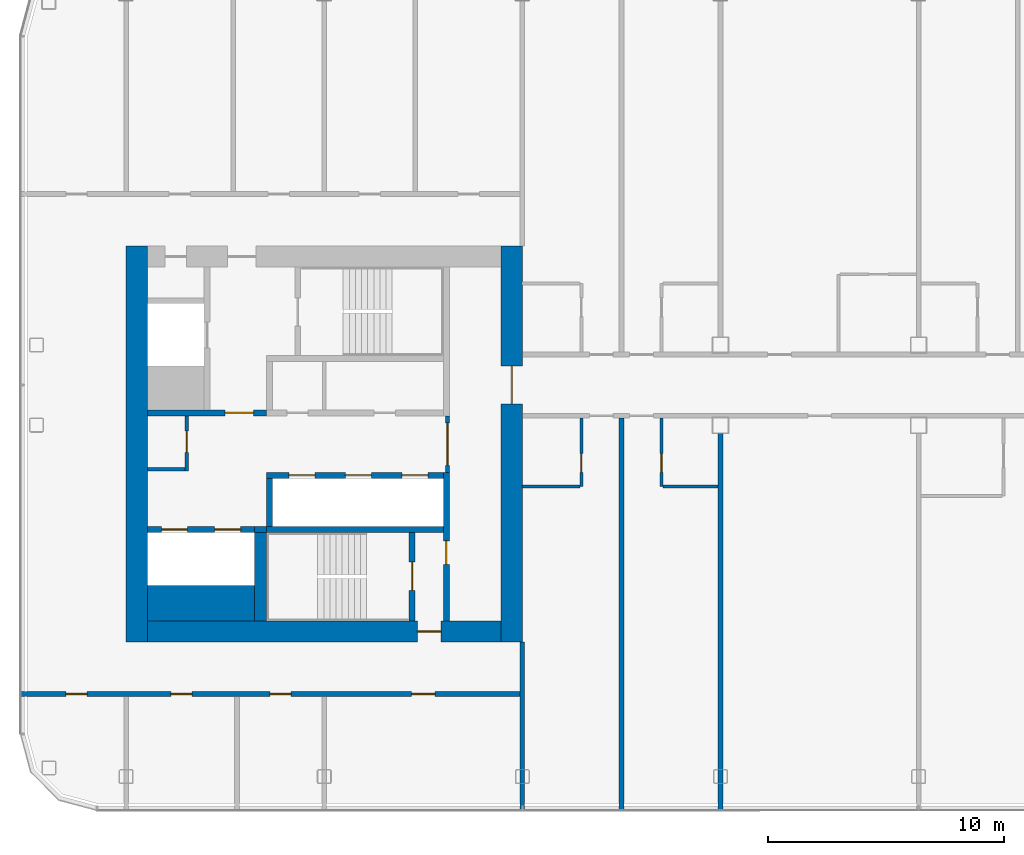
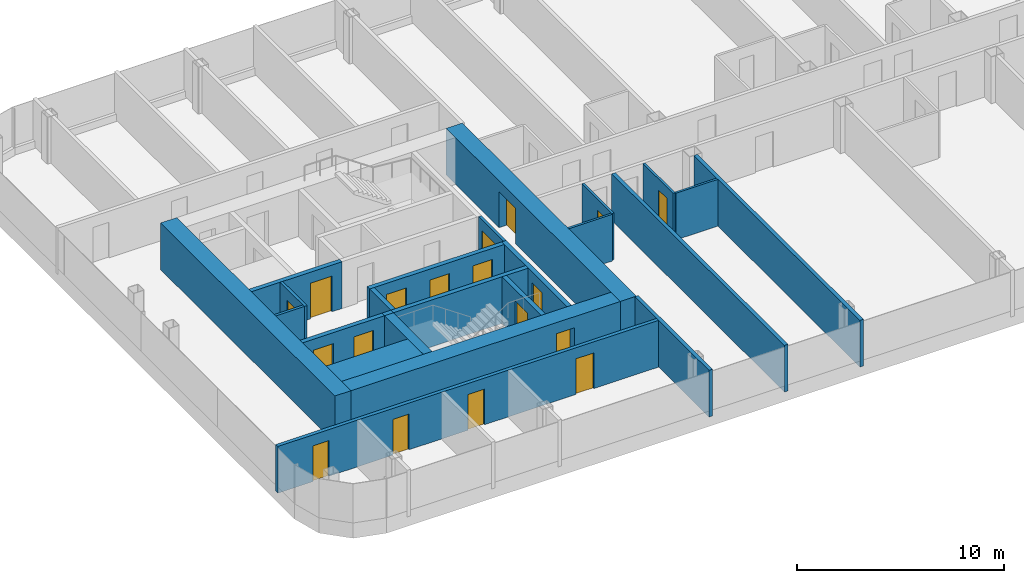
# One storey, part 13 of 26: 24 walls, 18 doors, 18 openings.
"""IFC4 building model written with IfcOpenShell, lengths in metres."""

from ifc_helpers import new_model, si_unit, direction, frame, frame_2d, origin, place, context, subcontext, project, spatial, rectangle, extrude, material, layer, layer_set, type_object, element, fill, save


model = new_model("IFC4")

# Units and contexts
model_context = context("Model", 3, precision=1e-05, world=origin(), true_north=direction((0.0, 1.0)))
body_context = subcontext(model_context, "Body", "Model", "MODEL_VIEW")
ifc_project = project(units=[si_unit("LENGTHUNIT", "METRE"), si_unit("AREAUNIT", "SQUARE_METRE"), si_unit("VOLUMEUNIT", "CUBIC_METRE"), si_unit("PLANEANGLEUNIT", "RADIAN"), si_unit("MASSUNIT", "GRAM", prefix="KILO")], contexts=[model_context])

# Site, building, storey
site_placement = place(None, origin())
site = spatial("IfcSite", under=ifc_project, at=site_placement, CompositionType="ELEMENT")
building_placement = place(site_placement, origin())
building = spatial("IfcBuilding", under=site, at=building_placement, Name="Hakoniwa Tower and Hamabe Station Hall", CompositionType="ELEMENT")
storey_placement = place(building_placement, frame((0.0, 0.0, 212.199951171875)))
storey = spatial("IfcBuildingStorey", under=building, at=storey_placement, Name="L60", CompositionType="ELEMENT", Elevation=212.199951171875)

# Walls
ifc_material_1 = material(Name="Gypsum board partition", Category="gypsum")
ifc_layer_1 = layer(ifc_material_1, 0.125)
ifc_layer_set_1 = layer_set([ifc_layer_1], Name="Bathroom Partition 125")
wall_type_1 = type_object("IfcWallType", Name="Bathroom Partition 125", PredefinedType="PARTITIONING", material=ifc_layer_set_1)
wall_1_placement = place(storey_placement, frame((-16.81005859375, -1.800048828125, 0.0), z_axis=(0.0, 0.0, 1.0), x_axis=(1.0, 0.0, 0.0)))
element("IfcWall", 1, at=wall_1_placement, inside=storey, type_object=wall_type_1, Name="GW-L60-005", PredefinedType="PARTITIONING", context=body_context, shape_type="SweptSolid", body=[
    extrude(rectangle(XDim=2.447509765625, YDim=0.125, at=frame_2d((1.2236328125, 0.0))), origin(), (0.0, 0.0, 1.0), 2.75),
])
wall_2_placement = place(storey_placement, frame((-10.83740234375, -1.800048828125, 0.0), z_axis=(0.0, 0.0, 1.0), x_axis=(1.0, 0.0, 0.0)))
element("IfcWall", 2, at=wall_2_placement, inside=storey, type_object=wall_type_1, Name="GW-L60-006", PredefinedType="PARTITIONING", context=body_context, shape_type="SweptSolid", body=[
    extrude(rectangle(XDim=2.33740234375, YDim=0.125, at=frame_2d((1.168701171875, 0.0))), origin(), (0.0, 0.0, 1.0), 2.75),
])

# Wall, opening, door
wall_3_placement = place(storey_placement, frame((-14.300048828125, -1.800048828125, 0.0), z_axis=(0.0, 0.0, 1.0), x_axis=(0.0, 1.0, 0.0)))
wall_3 = element("IfcWall", 3, at=wall_3_placement, inside=storey, type_object=wall_type_1, Name="GW-L60-027", PredefinedType="PARTITIONING", context=body_context, shape_type="SweptSolid", body=[
    extrude(rectangle(XDim=2.900146484375, YDim=0.125, at=frame_2d((1.4501953125, 0.0))), origin(), (0.0, 0.0, 1.0), 2.75),
])
opening_1_placement = place(wall_3_placement, frame((0.60009765625, 0.0, 0.0)))
opening_1 = element("IfcOpeningElement", 4, at=opening_1_placement, cuts=wall_3, Name="Opening GD-G4D1-32", PredefinedType="OPENING", context=body_context, shape_type="SweptSolid", body=[
    extrude(rectangle(XDim=0.800048828125, YDim=2.10009765625, at=frame_2d((0.39990234375, 1.050048828125))), frame((0.0, 0.072509765625, 0.0), z_axis=(0.0, -1.0, 0.0), x_axis=(1.0, 0.0, 0.0)), (0.0, 0.0, 1.0), 0.14501953125),
])
ifc_material_2 = material(Name="Timber door leaf", Category="wood")
door_type_1 = type_object("IfcDoorType", Name="Bathroom Door 800", OperationType="SINGLE_SWING_LEFT", PredefinedType="DOOR", material=ifc_material_2)
door_1_placement = place(opening_1_placement, origin())
door_1 = element("IfcDoor", 5, at=door_1_placement, inside=storey, type_object=door_type_1, Name="Door GD-G4D1-32", OperationType="SINGLE_SWING_RIGHT", OverallHeight=2.10009765625, OverallWidth=0.800048828125, PredefinedType="DOOR", context=body_context, shape_type="SweptSolid", body=[
    extrude(rectangle(XDim=0.800048828125, YDim=2.10009765625, at=frame_2d((0.39990234375, 1.050048828125))), frame((0.0, 0.02490234375, 0.0), z_axis=(0.0, -1.0, 0.0), x_axis=(1.0, 0.0, 0.0)), (0.0, 0.0, 1.0), 0.050048828125),
])
fill(opening_1, door_1)

wall_4_placement = place(storey_placement, frame((-10.89990234375, -1.800048828125, 0.0), z_axis=(0.0, 0.0, 1.0), x_axis=(0.0, 1.0, 0.0)))
wall_4 = element("IfcWall", 6, at=wall_4_placement, inside=storey, type_object=wall_type_1, Name="GW-L60-031", PredefinedType="PARTITIONING", context=body_context, shape_type="SweptSolid", body=[
    extrude(rectangle(XDim=2.900146484375, YDim=0.125, at=frame_2d((1.4501953125, 0.0))), origin(), (0.0, 0.0, 1.0), 2.75),
])
opening_2_placement = place(wall_4_placement, frame((0.60009765625, 0.0, 0.0)))
opening_2 = element("IfcOpeningElement", 7, at=opening_2_placement, cuts=wall_4, Name="Opening GD-G4D1-34", PredefinedType="OPENING", context=body_context, shape_type="SweptSolid", body=[
    extrude(rectangle(XDim=0.800048828125, YDim=2.10009765625, at=frame_2d((0.39990234375, 1.050048828125))), frame((0.0, 0.072509765625, 0.0), z_axis=(0.0, -1.0, 0.0), x_axis=(1.0, 0.0, 0.0)), (0.0, 0.0, 1.0), 0.14501953125),
])
door_2_placement = place(opening_2_placement, origin())
door_2 = element("IfcDoor", 8, at=door_2_placement, inside=storey, type_object=door_type_1, Name="Door GD-G4D1-34", OperationType="SINGLE_SWING_LEFT", OverallHeight=2.10009765625, OverallWidth=0.800048828125, PredefinedType="DOOR", context=body_context, shape_type="SweptSolid", body=[
    extrude(rectangle(XDim=0.800048828125, YDim=2.10009765625, at=frame_2d((0.39990234375, 1.050048828125))), frame((0.0, 0.02490234375, 0.0), z_axis=(0.0, -1.0, 0.0), x_axis=(1.0, 0.0, 0.0)), (0.0, 0.0, 1.0), 0.050048828125),
])
fill(opening_2, door_2)

ifc_material_3 = material(Name="Gypsum board partition")
ifc_layer_2 = layer(ifc_material_3, 0.14990234375)
ifc_layer_set_2 = layer_set([ifc_layer_2], Name="CORE PARTITION 150 EI 60")
wall_type_2 = type_object("IfcWallType", Name="CORE PARTITION 150 EI 60", PredefinedType="PARTITIONING", material=ifc_layer_set_2)
wall_5_placement = place(storey_placement, frame((-19.97509765625, -1.199951171875, 0.0), z_axis=(0.0, 0.0, 1.0), x_axis=(0.0, 1.0, 0.0)))
wall_5 = element("IfcWall", 9, at=wall_5_placement, inside=storey, type_object=wall_type_2, Name="Core partition PL0 west", PredefinedType="PARTITIONING", context=body_context, shape_type="SweptSolid", body=[
    extrude(rectangle(XDim=2.39990234375, YDim=0.14990234375, at=frame_2d((1.199951171875, 0.0))), origin(), (0.0, 0.0, 1.0), 2.75),
])
opening_3_placement = place(wall_5_placement, frame((0.300048828125, 0.0, 0.0)))
opening_3 = element("IfcOpeningElement", 10, at=opening_3_placement, cuts=wall_5, Name="Opening CD-W-LP0-18", PredefinedType="OPENING", context=body_context, shape_type="SweptSolid", body=[
    extrude(rectangle(XDim=1.800048828125, YDim=2.10009765625, at=frame_2d((0.89990234375, 1.050048828125))), frame((0.0, 0.0849609375, 0.0), z_axis=(0.0, -1.0, 0.0), x_axis=(1.0, 0.0, 0.0)), (0.0, 0.0, 1.0), 0.169921875),
])
ifc_material_4 = material(Name="Steel fire door", Category="steel")
door_type_2 = type_object("IfcDoorType", Name="CORE DOOR 1800 FD60", OperationType="DOUBLE_DOOR_SINGLE_SWING", PredefinedType="DOOR", material=ifc_material_4)
door_3_placement = place(opening_3_placement, origin())
door_3 = element("IfcDoor", 11, at=door_3_placement, inside=storey, type_object=door_type_2, Name="Lift lobby partition door", OperationType="DOUBLE_DOOR_SINGLE_SWING", OverallHeight=2.10009765625, OverallWidth=1.800048828125, PredefinedType="DOOR", context=body_context, shape_type="SweptSolid", body=[
    extrude(rectangle(XDim=1.800048828125, YDim=2.10009765625, at=frame_2d((0.89990234375, 1.050048828125))), frame((0.0, 0.02490234375, 0.0), z_axis=(0.0, -1.0, 0.0), x_axis=(1.0, 0.0, 0.0)), (0.0, 0.0, 1.0), 0.050048828125),
])
fill(opening_3, door_3)

wall_6_placement = place(storey_placement, frame((-31.02490234375, -1.14990234375, 0.0), z_axis=(0.0, 0.0, 1.0), x_axis=(0.0, 1.0, 0.0)))
wall_6 = element("IfcWall", 12, at=wall_6_placement, inside=storey, type_object=wall_type_2, Name="Core partition PW0 west", PredefinedType="PARTITIONING", context=body_context, shape_type="SweptSolid", body=[
    extrude(rectangle(XDim=2.349853515625, YDim=0.14990234375, at=frame_2d((1.1748046875, 0.0))), origin(), (0.0, 0.0, 1.0), 2.75),
])
opening_4_placement = place(wall_6_placement, frame((0.800048828125, 0.0, 0.0)))
opening_4 = element("IfcOpeningElement", 13, at=opening_4_placement, cuts=wall_6, Name="Opening CD-W-RM1-9", PredefinedType="OPENING", context=body_context, shape_type="SweptSolid", body=[
    extrude(rectangle(XDim=0.89990234375, YDim=2.10009765625, at=frame_2d((0.449951171875, 1.050048828125))), frame((0.0, 0.0849609375, 0.0), z_axis=(0.0, -1.0, 0.0), x_axis=(1.0, 0.0, 0.0)), (0.0, 0.0, 1.0), 0.169921875),
])
ifc_material_5 = material(Name="Steel fire door", Category="steel")
door_type_3 = type_object("IfcDoorType", Name="CORE DOOR 900 FD30", OperationType="NOTDEFINED", PredefinedType="DOOR", material=ifc_material_5)
door_4_placement = place(opening_4_placement, origin())
door_4 = element("IfcDoor", 14, at=door_4_placement, inside=storey, type_object=door_type_3, Name="Store room door", OperationType="SINGLE_SWING_RIGHT", OverallHeight=2.10009765625, OverallWidth=0.89990234375, PredefinedType="DOOR", context=body_context, shape_type="SweptSolid", body=[
    extrude(rectangle(XDim=0.89990234375, YDim=2.10009765625, at=frame_2d((0.449951171875, 1.050048828125))), frame((0.0, 0.02490234375, 0.0), z_axis=(0.0, -1.0, 0.0), x_axis=(1.0, 0.0, 0.0)), (0.0, 0.0, 1.0), 0.050048828125),
])
fill(opening_4, door_4)

# Wall
wall_7_placement = place(storey_placement, frame((-32.699951171875, -1.074951171875, 0.0), z_axis=(0.0, 0.0, 1.0), x_axis=(1.0, 0.0, 0.0)))
element("IfcWall", 15, at=wall_7_placement, inside=storey, type_object=wall_type_2, Name="Core partition PS west", PredefinedType="PARTITIONING", context=body_context, shape_type="SweptSolid", body=[
    extrude(rectangle(XDim=1.599853515625, YDim=0.14990234375, at=frame_2d((0.7998046875, 0.0))), origin(), (0.0, 0.0, 1.0), 2.75),
])

# Wall, opening, door
ifc_material_6 = material(Name="Concrete C60", Category="concrete")
ifc_layer_3 = layer(ifc_material_6, 0.89990234375)
ifc_layer_set_3 = layer_set([ifc_layer_3], Name="CORE WALL 900 C60")
wall_type_3 = type_object("IfcWallType", Name="CORE WALL 900 C60", PredefinedType="SHEAR", material=ifc_layer_set_3)
wall_8_placement = place(storey_placement, frame((-17.25, -8.39990234375, 0.0), z_axis=(0.0, 0.0, 1.0), x_axis=(0.0, 1.0, 0.0)))
wall_8 = element("IfcWall", 16, at=wall_8_placement, inside=storey, type_object=wall_type_3, Name="Core wall INNER west", PredefinedType="SHEAR", context=body_context, shape_type="SweptSolid", body=[
    extrude(rectangle(XDim=16.7998046875, YDim=0.89990234375, at=frame_2d((8.39990234375, 0.0))), origin(), (0.0, 0.0, 1.0), 2.75),
])
opening_5_placement = place(wall_8_placement, frame((10.10009765625, 0.0, 0.0)))
opening_5 = element("IfcOpeningElement", 17, at=opening_5_placement, cuts=wall_8, Name="Opening CD-W-IN1-16", PredefinedType="OPENING", context=body_context, shape_type="SweptSolid", body=[
    extrude(rectangle(XDim=1.60009765625, YDim=2.10009765625, at=frame_2d((0.800048828125, 1.050048828125))), frame((0.0, 0.4599609375, 0.0), z_axis=(0.0, -1.0, 0.0), x_axis=(1.0, 0.0, 0.0)), (0.0, 0.0, 1.0), 0.919921875),
])
ifc_material_7 = material(Name="Steel fire door", Category="steel")
door_type_4 = type_object("IfcDoorType", Name="CORE DOOR 1600 FD60", OperationType="DOUBLE_DOOR_SINGLE_SWING", PredefinedType="DOOR", material=ifc_material_7)
door_5_placement = place(opening_5_placement, origin())
door_5 = element("IfcDoor", 18, at=door_5_placement, inside=storey, type_object=door_type_4, Name="Lift lobby door", OperationType="DOUBLE_DOOR_SINGLE_SWING", OverallHeight=2.10009765625, OverallWidth=1.60009765625, PredefinedType="DOOR", context=body_context, shape_type="SweptSolid", body=[
    extrude(rectangle(XDim=1.60009765625, YDim=2.10009765625, at=frame_2d((0.800048828125, 1.050048828125))), frame((0.0, 0.02490234375, 0.0), z_axis=(0.0, -1.0, 0.0), x_axis=(1.0, 0.0, 0.0)), (0.0, 0.0, 1.0), 0.050048828125),
])
fill(opening_5, door_5)

# Wall
wall_9_placement = place(storey_placement, frame((-33.14990234375, -8.39990234375, 0.0), z_axis=(0.0, 0.0, 1.0), x_axis=(0.0, 1.0, 0.0)))
element("IfcWall", 19, at=wall_9_placement, inside=storey, type_object=wall_type_3, Name="Core wall OUTER west", PredefinedType="SHEAR", context=body_context, shape_type="SweptSolid", body=[
    extrude(rectangle(XDim=16.7998046875, YDim=0.89990234375, at=frame_2d((8.39990234375, 0.0))), origin(), (0.0, 0.0, 1.0), 2.75),
])

# Wall, opening, door
wall_10_placement = place(storey_placement, frame((-32.699951171875, -7.949951171875, 0.0), z_axis=(0.0, 0.0, 1.0), x_axis=(1.0, 0.0, 0.0)))
wall_10 = element("IfcWall", 20, at=wall_10_placement, inside=storey, type_object=wall_type_3, Name="Core wall SOUTH west", PredefinedType="SHEAR", context=body_context, shape_type="SweptSolid", body=[
    extrude(rectangle(XDim=15.0, YDim=0.89990234375, at=frame_2d((7.5, 0.0))), origin(), (0.0, 0.0, 1.0), 2.75),
])
opening_6_placement = place(wall_10_placement, frame((11.449951171875, 0.0, 0.0)))
opening_6 = element("IfcOpeningElement", 21, at=opening_6_placement, cuts=wall_10, Name="Opening CD-W-FS3-10", PredefinedType="OPENING", context=body_context, shape_type="SweptSolid", body=[
    extrude(rectangle(XDim=1.0, YDim=2.10009765625, at=frame_2d((0.5, 1.050048828125))), frame((0.0, 0.4599609375, 0.0), z_axis=(0.0, -1.0, 0.0), x_axis=(1.0, 0.0, 0.0)), (0.0, 0.0, 1.0), 0.919921875),
])
ifc_material_8 = material(Name="Steel fire door", Category="steel")
door_type_5 = type_object("IfcDoorType", Name="CORE DOOR 1000 FD60", OperationType="NOTDEFINED", PredefinedType="DOOR", material=ifc_material_8)
door_6_placement = place(opening_6_placement, origin())
door_6 = element("IfcDoor", 22, at=door_6_placement, inside=storey, type_object=door_type_5, Name="Stair vestibule door", OperationType="SINGLE_SWING_LEFT", OverallHeight=2.10009765625, OverallWidth=1.0, PredefinedType="DOOR", context=body_context, shape_type="SweptSolid", body=[
    extrude(rectangle(XDim=1.0, YDim=2.10009765625, at=frame_2d((0.5, 1.050048828125))), frame((0.0, 0.02490234375, 0.0), z_axis=(0.0, -1.0, 0.0), x_axis=(1.0, 0.0, 0.0)), (0.0, 0.0, 1.0), 0.050048828125),
])
fill(opening_6, door_6)

# Wall
ifc_material_9 = material(Name="Concrete C60", Category="concrete")
ifc_layer_4 = layer(ifc_material_9, 1.5)
ifc_layer_set_4 = layer_set([ifc_layer_4], Name="CORE WEB WALL 1500 C60")
wall_type_4 = type_object("IfcWallType", Name="CORE WEB WALL 1500 C60", PredefinedType="SHEAR", material=ifc_layer_set_4)
wall_11_placement = place(storey_placement, frame((-32.699951171875, -6.75, 0.0), z_axis=(0.0, 0.0, 1.0), x_axis=(1.0, 0.0, 0.0)))
element("IfcWall", 23, at=wall_11_placement, inside=storey, type_object=wall_type_4, Name="Core wall SER west", PredefinedType="SHEAR", context=body_context, shape_type="SweptSolid", body=[
    extrude(rectangle(XDim=4.550048828125, YDim=1.5, at=frame_2d((2.27490234375, 0.0))), origin(), (0.0, 0.0, 1.0), 2.75),
])

# Wall, opening, door
ifc_material_10 = material(Name="Concrete C60", Category="concrete")
ifc_layer_5 = layer(ifc_material_10, 0.25)
ifc_layer_set_5 = layer_set([ifc_layer_5], Name="CORE WEB WALL 250 C60")
wall_type_5 = type_object("IfcWallType", Name="CORE WEB WALL 250 C60", PredefinedType="SHEAR", material=ifc_layer_set_5)
wall_12_placement = place(storey_placement, frame((-20.02490234375, -7.5, 0.0), z_axis=(0.0, 0.0, 1.0), x_axis=(0.0, 1.0, 0.0)))
wall_12 = element("IfcWall", 24, at=wall_12_placement, inside=storey, type_object=wall_type_5, Name="Core wall W1S west", PredefinedType="SHEAR", context=body_context, shape_type="SweptSolid", body=[
    extrude(rectangle(XDim=6.300048828125, YDim=0.25, at=frame_2d((3.14990234375, 0.0))), origin(), (0.0, 0.0, 1.0), 2.75),
])
opening_7_placement = place(wall_12_placement, frame((2.39990234375, 0.0, 0.0)))
opening_7 = element("IfcOpeningElement", 25, at=opening_7_placement, cuts=wall_12, Name="Opening CD-W-VS-10", PredefinedType="OPENING", context=body_context, shape_type="SweptSolid", body=[
    extrude(rectangle(XDim=1.0, YDim=2.10009765625, at=frame_2d((0.5, 1.050048828125))), frame((0.0, 0.135009765625, 0.0), z_axis=(0.0, -1.0, 0.0), x_axis=(1.0, 0.0, 0.0)), (0.0, 0.0, 1.0), 0.27001953125),
])
door_7_placement = place(opening_7_placement, origin())
door_7 = element("IfcDoor", 26, at=door_7_placement, inside=storey, type_object=door_type_5, Name="Stair vestibule door", OperationType="SINGLE_SWING_LEFT", OverallHeight=2.10009765625, OverallWidth=1.0, PredefinedType="DOOR", context=body_context, shape_type="SweptSolid", body=[
    extrude(rectangle(XDim=1.0, YDim=2.10009765625, at=frame_2d((0.5, 1.050048828125))), frame((0.0, 0.02490234375, 0.0), z_axis=(0.0, -1.0, 0.0), x_axis=(1.0, 0.0, 0.0)), (0.0, 0.0, 1.0), 0.050048828125),
])
fill(opening_7, door_7)

wall_13_placement = place(storey_placement, frame((-32.699951171875, 1.324951171875, 0.0), z_axis=(0.0, 0.0, 1.0), x_axis=(1.0, 0.0, 0.0)))
wall_13 = element("IfcWall", 27, at=wall_13_placement, inside=storey, type_object=wall_type_5, Name="Core wall ELN west", PredefinedType="SHEAR", context=body_context, shape_type="SweptSolid", body=[
    extrude(rectangle(XDim=5.050048828125, YDim=0.25, at=frame_2d((2.52490234375, 0.0))), origin(), (0.0, 0.0, 1.0), 2.75),
])
opening_8_placement = place(wall_13_placement, frame((3.300048828125, 0.0, 0.0)))
opening_8 = element("IfcOpeningElement", 28, at=opening_8_placement, cuts=wall_13, Name="Opening CD-W-FL-12", PredefinedType="OPENING", context=body_context, shape_type="SweptSolid", body=[
    extrude(rectangle(XDim=1.199951171875, YDim=2.10009765625, at=frame_2d((0.60009765625, 1.050048828125))), frame((0.0, 0.135009765625, 0.0), z_axis=(0.0, -1.0, 0.0), x_axis=(1.0, 0.0, 0.0)), (0.0, 0.0, 1.0), 0.27001953125),
])
ifc_material_11 = material(Name="Steel fire door", Category="steel")
door_type_6 = type_object("IfcDoorType", Name="CORE DOOR 1200 FD60", OperationType="DOUBLE_DOOR_SINGLE_SWING", PredefinedType="DOOR", material=ifc_material_11)
door_8_placement = place(opening_8_placement, origin())
door_8 = element("IfcDoor", 29, at=door_8_placement, inside=storey, type_object=door_type_6, Name="Stair vestibule door to the fire-fighting lobby", OperationType="DOUBLE_DOOR_SINGLE_SWING", OverallHeight=2.10009765625, OverallWidth=1.199951171875, PredefinedType="DOOR", context=body_context, shape_type="SweptSolid", body=[
    extrude(rectangle(XDim=1.199951171875, YDim=2.10009765625, at=frame_2d((0.60009765625, 1.050048828125))), frame((0.0, 0.02490234375, 0.0), z_axis=(0.0, -1.0, 0.0), x_axis=(1.0, 0.0, 0.0)), (0.0, 0.0, 1.0), 0.050048828125),
])
fill(opening_8, door_8)

# Wall, openings, doors
wall_14_placement = place(storey_placement, frame((-27.64990234375, -1.324951171875, 0.0), z_axis=(0.0, 0.0, 1.0), x_axis=(1.0, 0.0, 0.0)))
wall_14 = element("IfcWall", 30, at=wall_14_placement, inside=storey, type_object=wall_type_5, Name="Core wall SF west", PredefinedType="SHEAR", context=body_context, shape_type="SweptSolid", body=[
    extrude(rectangle(XDim=7.5, YDim=0.25, at=frame_2d((3.75, 0.0))), origin(), (0.0, 0.0, 1.0), 2.75),
])
opening_9_placement = place(wall_14_placement, frame((5.75, 0.0, 0.0)))
opening_9 = element("IfcOpeningElement", 31, at=opening_9_placement, cuts=wall_14, Name="Opening LD-HR1", PredefinedType="OPENING", context=body_context, shape_type="SweptSolid", body=[
    extrude(rectangle(XDim=1.10009765625, YDim=2.10009765625, at=frame_2d((0.550048828125, 1.050048828125))), frame((0.0, 0.135009765625, 0.0), z_axis=(0.0, -1.0, 0.0), x_axis=(1.0, 0.0, 0.0)), (0.0, 0.0, 1.0), 0.27001953125),
])
opening_10_placement = place(wall_14_placement, frame((3.35009765625, 0.0, 0.0)))
opening_10 = element("IfcOpeningElement", 32, at=opening_10_placement, cuts=wall_14, Name="Opening LD-HR2", PredefinedType="OPENING", context=body_context, shape_type="SweptSolid", body=[
    extrude(rectangle(XDim=1.10009765625, YDim=2.10009765625, at=frame_2d((0.550048828125, 1.050048828125))), frame((0.0, 0.135009765625, 0.0), z_axis=(0.0, -1.0, 0.0), x_axis=(1.0, 0.0, 0.0)), (0.0, 0.0, 1.0), 0.27001953125),
])
opening_11_placement = place(wall_14_placement, frame((0.949951171875, 0.0, 0.0)))
opening_11 = element("IfcOpeningElement", 33, at=opening_11_placement, cuts=wall_14, Name="Opening LD-HR3", PredefinedType="OPENING", context=body_context, shape_type="SweptSolid", body=[
    extrude(rectangle(XDim=1.10009765625, YDim=2.10009765625, at=frame_2d((0.550048828125, 1.050048828125))), frame((0.0, 0.135009765625, 0.0), z_axis=(0.0, -1.0, 0.0), x_axis=(1.0, 0.0, 0.0)), (0.0, 0.0, 1.0), 0.27001953125),
])
ifc_material_12 = material(Name="Stainless steel SUS304", Category="steel")
door_type_7 = type_object("IfcDoorType", Name="LIFT LANDING DOOR 1100 FD60", OperationType="DOUBLE_DOOR_SLIDING", PredefinedType="DOOR", material=ifc_material_12)
door_9_placement = place(opening_9_placement, origin())
door_9 = element("IfcDoor", 34, at=door_9_placement, inside=storey, type_object=door_type_7, Name="Lift landing door HR1 L60", OperationType="DOUBLE_DOOR_SLIDING", OverallHeight=2.10009765625, OverallWidth=1.10009765625, PredefinedType="DOOR", context=body_context, shape_type="SweptSolid", body=[
    extrude(rectangle(XDim=1.10009765625, YDim=2.10009765625, at=frame_2d((0.550048828125, 1.050048828125))), frame((0.0, 0.02490234375, 0.0), z_axis=(0.0, -1.0, 0.0), x_axis=(1.0, 0.0, 0.0)), (0.0, 0.0, 1.0), 0.050048828125),
])
fill(opening_9, door_9)
door_10_placement = place(opening_10_placement, origin())
door_10 = element("IfcDoor", 35, at=door_10_placement, inside=storey, type_object=door_type_7, Name="Lift landing door HR2 L60", OperationType="DOUBLE_DOOR_SLIDING", OverallHeight=2.10009765625, OverallWidth=1.10009765625, PredefinedType="DOOR", context=body_context, shape_type="SweptSolid", body=[
    extrude(rectangle(XDim=1.10009765625, YDim=2.10009765625, at=frame_2d((0.550048828125, 1.050048828125))), frame((0.0, 0.02490234375, 0.0), z_axis=(0.0, -1.0, 0.0), x_axis=(1.0, 0.0, 0.0)), (0.0, 0.0, 1.0), 0.050048828125),
])
fill(opening_10, door_10)
door_11_placement = place(opening_11_placement, origin())
door_11 = element("IfcDoor", 36, at=door_11_placement, inside=storey, type_object=door_type_7, Name="Lift landing door HR3 L60", OperationType="DOUBLE_DOOR_SLIDING", OverallHeight=2.10009765625, OverallWidth=1.10009765625, PredefinedType="DOOR", context=body_context, shape_type="SweptSolid", body=[
    extrude(rectangle(XDim=1.10009765625, YDim=2.10009765625, at=frame_2d((0.550048828125, 1.050048828125))), frame((0.0, 0.02490234375, 0.0), z_axis=(0.0, -1.0, 0.0), x_axis=(1.0, 0.0, 0.0)), (0.0, 0.0, 1.0), 0.050048828125),
])
fill(opening_11, door_11)

# Walls
wall_15_placement = place(storey_placement, frame((-27.52490234375, -3.5, 0.0), z_axis=(0.0, 0.0, 1.0), x_axis=(0.0, 1.0, 0.0)))
element("IfcWall", 37, at=wall_15_placement, inside=storey, type_object=wall_type_5, Name="Core wall SE west", PredefinedType="SHEAR", context=body_context, shape_type="SweptSolid", body=[
    extrude(rectangle(XDim=2.050048828125, YDim=0.25, at=frame_2d((1.02490234375, 0.0))), origin(), (0.0, 0.0, 1.0), 2.75),
])
wall_16_placement = place(storey_placement, frame((-27.64990234375, -3.625, 0.0), z_axis=(0.0, 0.0, 1.0), x_axis=(1.0, 0.0, 0.0)))
element("IfcWall", 38, at=wall_16_placement, inside=storey, type_object=wall_type_5, Name="Core wall SR west", PredefinedType="SHEAR", context=body_context, shape_type="SweptSolid", body=[
    extrude(rectangle(XDim=7.5, YDim=0.25, at=frame_2d((3.75, 0.0))), origin(), (0.0, 0.0, 1.0), 2.75),
])

# Wall, opening, door
wall_17_placement = place(storey_placement, frame((-21.47509765625, -7.5, 0.0), z_axis=(0.0, 0.0, 1.0), x_axis=(0.0, 1.0, 0.0)))
wall_17 = element("IfcWall", 39, at=wall_17_placement, inside=storey, type_object=wall_type_5, Name="Core wall VE west", PredefinedType="SHEAR", context=body_context, shape_type="SweptSolid", body=[
    extrude(rectangle(XDim=3.75, YDim=0.25, at=frame_2d((1.875, 0.0))), origin(), (0.0, 0.0, 1.0), 2.75),
])
opening_12_placement = place(wall_17_placement, frame((1.300048828125, 0.0, 0.0)))
opening_12 = element("IfcOpeningElement", 40, at=opening_12_placement, cuts=wall_17, Name="Opening CD-W-SS-12", PredefinedType="OPENING", context=body_context, shape_type="SweptSolid", body=[
    extrude(rectangle(XDim=1.199951171875, YDim=2.10009765625, at=frame_2d((0.60009765625, 1.050048828125))), frame((0.0, 0.135009765625, 0.0), z_axis=(0.0, -1.0, 0.0), x_axis=(1.0, 0.0, 0.0)), (0.0, 0.0, 1.0), 0.27001953125),
])
door_12_placement = place(opening_12_placement, origin())
door_12 = element("IfcDoor", 41, at=door_12_placement, inside=storey, type_object=door_type_6, Name="Escape stair door", OperationType="DOUBLE_DOOR_SINGLE_SWING", OverallHeight=2.10009765625, OverallWidth=1.199951171875, PredefinedType="DOOR", context=body_context, shape_type="SweptSolid", body=[
    extrude(rectangle(XDim=1.199951171875, YDim=2.10009765625, at=frame_2d((0.60009765625, 1.050048828125))), frame((0.0, 0.02490234375, 0.0), z_axis=(0.0, -1.0, 0.0), x_axis=(1.0, 0.0, 0.0)), (0.0, 0.0, 1.0), 0.050048828125),
])
fill(opening_12, door_12)

# Wall, openings, doors
wall_18_placement = place(storey_placement, frame((-32.699951171875, -3.625, 0.0), z_axis=(0.0, 0.0, 1.0), x_axis=(1.0, 0.0, 0.0)))
wall_18 = element("IfcWall", 42, at=wall_18_placement, inside=storey, type_object=wall_type_5, Name="Core wall SEF west", PredefinedType="SHEAR", context=body_context, shape_type="SweptSolid", body=[
    extrude(rectangle(XDim=4.550048828125, YDim=0.25, at=frame_2d((2.27490234375, 0.0))), origin(), (0.0, 0.0, 1.0), 2.75),
])
opening_13_placement = place(wall_18_placement, frame((2.85009765625, 0.0, 0.0)))
opening_13 = element("IfcOpeningElement", 43, at=opening_13_placement, cuts=wall_18, Name="Opening LD-SV1", PredefinedType="OPENING", context=body_context, shape_type="SweptSolid", body=[
    extrude(rectangle(XDim=1.10009765625, YDim=2.10009765625, at=frame_2d((0.550048828125, 1.050048828125))), frame((0.0, 0.135009765625, 0.0), z_axis=(0.0, -1.0, 0.0), x_axis=(1.0, 0.0, 0.0)), (0.0, 0.0, 1.0), 0.27001953125),
])
opening_14_placement = place(wall_18_placement, frame((0.60009765625, 0.0, 0.0)))
opening_14 = element("IfcOpeningElement", 44, at=opening_14_placement, cuts=wall_18, Name="Opening LD-SV2", PredefinedType="OPENING", context=body_context, shape_type="SweptSolid", body=[
    extrude(rectangle(XDim=1.10009765625, YDim=2.10009765625, at=frame_2d((0.550048828125, 1.050048828125))), frame((0.0, 0.135009765625, 0.0), z_axis=(0.0, -1.0, 0.0), x_axis=(1.0, 0.0, 0.0)), (0.0, 0.0, 1.0), 0.27001953125),
])
door_13_placement = place(opening_13_placement, origin())
door_13 = element("IfcDoor", 45, at=door_13_placement, inside=storey, type_object=door_type_7, Name="Lift landing door SV1 L60", OperationType="DOUBLE_DOOR_SLIDING", OverallHeight=2.10009765625, OverallWidth=1.10009765625, PredefinedType="DOOR", context=body_context, shape_type="SweptSolid", body=[
    extrude(rectangle(XDim=1.10009765625, YDim=2.10009765625, at=frame_2d((0.550048828125, 1.050048828125))), frame((0.0, 0.02490234375, 0.0), z_axis=(0.0, -1.0, 0.0), x_axis=(1.0, 0.0, 0.0)), (0.0, 0.0, 1.0), 0.050048828125),
])
fill(opening_13, door_13)
door_14_placement = place(opening_14_placement, origin())
door_14 = element("IfcDoor", 46, at=door_14_placement, inside=storey, type_object=door_type_7, Name="Lift landing door SV2 L60", OperationType="DOUBLE_DOOR_SLIDING", OverallHeight=2.10009765625, OverallWidth=1.10009765625, PredefinedType="DOOR", context=body_context, shape_type="SweptSolid", body=[
    extrude(rectangle(XDim=1.10009765625, YDim=2.10009765625, at=frame_2d((0.550048828125, 1.050048828125))), frame((0.0, 0.02490234375, 0.0), z_axis=(0.0, -1.0, 0.0), x_axis=(1.0, 0.0, 0.0)), (0.0, 0.0, 1.0), 0.050048828125),
])
fill(opening_14, door_14)

# Walls
wall_19_placement = place(storey_placement, frame((-28.14990234375, -3.625, 0.0), z_axis=(0.0, 0.0, 1.0), x_axis=(1.0, 0.0, 0.0)))
element("IfcWall", 47, at=wall_19_placement, inside=storey, type_object=wall_type_5, Name="Core wall SRK west", PredefinedType="SHEAR", context=body_context, shape_type="SweptSolid", body=[
    extrude(rectangle(XDim=0.5, YDim=0.25, at=frame_2d((0.25, 0.0))), origin(), (0.0, 0.0, 1.0), 2.75),
])
ifc_material_13 = material(Name="Concrete C60", Category="concrete")
ifc_layer_6 = layer(ifc_material_13, 0.5)
ifc_layer_set_6 = layer_set([ifc_layer_6], Name="CORE WEB WALL 500 C60")
wall_type_6 = type_object("IfcWallType", Name="CORE WEB WALL 500 C60", PredefinedType="SHEAR", material=ifc_layer_set_6)
wall_20_placement = place(storey_placement, frame((-27.89990234375, -7.5, 0.0), z_axis=(0.0, 0.0, 1.0), x_axis=(0.0, 1.0, 0.0)))
element("IfcWall", 48, at=wall_20_placement, inside=storey, type_object=wall_type_6, Name="Core wall SSE west", PredefinedType="SHEAR", context=body_context, shape_type="SweptSolid", body=[
    extrude(rectangle(XDim=3.75, YDim=0.5, at=frame_2d((1.875, 0.0))), origin(), (0.0, 0.0, 1.0), 2.75),
])

# Wall, openings, doors
ifc_material_14 = material(Name="Fire-rated gypsum board partition", Category="gypsum")
ifc_layer_7 = layer(ifc_material_14, 0.199951171875)
ifc_layer_set_7 = layer_set([ifc_layer_7], Name="Corridor Wall 200")
wall_type_7 = type_object("IfcWallType", Name="Corridor Wall 200", PredefinedType="PARTITIONING", material=ifc_layer_set_7)
wall_21_placement = place(storey_placement, frame((-38.10009765625, -10.60009765625, 0.0), z_axis=(0.0, 0.0, 1.0), x_axis=(1.0, 0.0, 0.0)))
wall_21 = element("IfcWall", 49, at=wall_21_placement, inside=storey, type_object=wall_type_7, Name="GW-L60-001", PredefinedType="PARTITIONING", context=body_context, shape_type="SweptSolid", body=[
    extrude(rectangle(XDim=21.300048828125, YDim=0.199951171875, at=frame_2d((10.64990234375, 0.0))), origin(), (0.0, 0.0, 1.0), 2.75),
])
opening_15_placement = place(wall_21_placement, frame((1.949951171875, 0.0, 0.0)))
opening_15 = element("IfcOpeningElement", 50, at=opening_15_placement, cuts=wall_21, Name="Opening GD-G4D1-01", PredefinedType="OPENING", context=body_context, shape_type="SweptSolid", body=[
    extrude(rectangle(XDim=0.89990234375, YDim=2.10009765625, at=frame_2d((0.449951171875, 1.050048828125))), frame((0.0, 0.10986328125, 0.0), z_axis=(0.0, -1.0, 0.0), x_axis=(1.0, 0.0, 0.0)), (0.0, 0.0, 1.0), 0.219970703125),
])
opening_16_placement = place(wall_21_placement, frame((6.39990234375, 0.0, 0.0)))
opening_16 = element("IfcOpeningElement", 51, at=opening_16_placement, cuts=wall_21, Name="Opening GD-G4D1-02", PredefinedType="OPENING", context=body_context, shape_type="SweptSolid", body=[
    extrude(rectangle(XDim=0.89990234375, YDim=2.10009765625, at=frame_2d((0.449951171875, 1.050048828125))), frame((0.0, 0.10986328125, 0.0), z_axis=(0.0, -1.0, 0.0), x_axis=(1.0, 0.0, 0.0)), (0.0, 0.0, 1.0), 0.219970703125),
])
opening_17_placement = place(wall_21_placement, frame((10.60009765625, 0.0, 0.0)))
opening_17 = element("IfcOpeningElement", 52, at=opening_17_placement, cuts=wall_21, Name="Opening GD-G4D1-03", PredefinedType="OPENING", context=body_context, shape_type="SweptSolid", body=[
    extrude(rectangle(XDim=0.89990234375, YDim=2.10009765625, at=frame_2d((0.449951171875, 1.050048828125))), frame((0.0, 0.10986328125, 0.0), z_axis=(0.0, -1.0, 0.0), x_axis=(1.0, 0.0, 0.0)), (0.0, 0.0, 1.0), 0.219970703125),
])
opening_18_placement = place(wall_21_placement, frame((16.60009765625, 0.0, 0.0)))
opening_18 = element("IfcOpeningElement", 53, at=opening_18_placement, cuts=wall_21, Name="Opening GD-G4D1-04", PredefinedType="OPENING", context=body_context, shape_type="SweptSolid", body=[
    extrude(rectangle(XDim=1.0, YDim=2.10009765625, at=frame_2d((0.5, 1.050048828125))), frame((0.0, 0.10986328125, 0.0), z_axis=(0.0, -1.0, 0.0), x_axis=(1.0, 0.0, 0.0)), (0.0, 0.0, 1.0), 0.219970703125),
])
ifc_material_15 = material(Name="Timber door leaf", Category="wood")
door_type_8 = type_object("IfcDoorType", Name="Guest Entrance Door 1000", OperationType="SINGLE_SWING_LEFT", PredefinedType="DOOR", material=ifc_material_15)
door_15_placement = place(opening_18_placement, origin())
door_15 = element("IfcDoor", 54, at=door_15_placement, inside=storey, type_object=door_type_8, Name="Door GD-G4D1-04", OperationType="SINGLE_SWING_LEFT", OverallHeight=2.10009765625, OverallWidth=1.0, PredefinedType="DOOR", context=body_context, shape_type="SweptSolid", body=[
    extrude(rectangle(XDim=1.0, YDim=2.10009765625, at=frame_2d((0.5, 1.050048828125))), frame((0.0, 0.02490234375, 0.0), z_axis=(0.0, -1.0, 0.0), x_axis=(1.0, 0.0, 0.0)), (0.0, 0.0, 1.0), 0.050048828125),
])
fill(opening_18, door_15)
ifc_material_16 = material(Name="Timber door leaf", Category="wood")
door_type_9 = type_object("IfcDoorType", Name="Service Door 900", OperationType="SINGLE_SWING_LEFT", PredefinedType="DOOR", material=ifc_material_16)
door_16_placement = place(opening_15_placement, origin())
door_16 = element("IfcDoor", 55, at=door_16_placement, inside=storey, type_object=door_type_9, Name="Door GD-G4D1-01", OperationType="SINGLE_SWING_RIGHT", OverallHeight=2.10009765625, OverallWidth=0.89990234375, PredefinedType="DOOR", context=body_context, shape_type="SweptSolid", body=[
    extrude(rectangle(XDim=0.89990234375, YDim=2.10009765625, at=frame_2d((0.449951171875, 1.050048828125))), frame((0.0, 0.02490234375, 0.0), z_axis=(0.0, -1.0, 0.0), x_axis=(1.0, 0.0, 0.0)), (0.0, 0.0, 1.0), 0.050048828125),
])
fill(opening_15, door_16)
door_17_placement = place(opening_16_placement, origin())
door_17 = element("IfcDoor", 56, at=door_17_placement, inside=storey, type_object=door_type_9, Name="Door GD-G4D1-02", OperationType="SINGLE_SWING_LEFT", OverallHeight=2.10009765625, OverallWidth=0.89990234375, PredefinedType="DOOR", context=body_context, shape_type="SweptSolid", body=[
    extrude(rectangle(XDim=0.89990234375, YDim=2.10009765625, at=frame_2d((0.449951171875, 1.050048828125))), frame((0.0, 0.02490234375, 0.0), z_axis=(0.0, -1.0, 0.0), x_axis=(1.0, 0.0, 0.0)), (0.0, 0.0, 1.0), 0.050048828125),
])
fill(opening_16, door_17)
door_18_placement = place(opening_17_placement, origin())
door_18 = element("IfcDoor", 57, at=door_18_placement, inside=storey, type_object=door_type_9, Name="Door GD-G4D1-03", OperationType="SINGLE_SWING_RIGHT", OverallHeight=2.10009765625, OverallWidth=0.89990234375, PredefinedType="DOOR", context=body_context, shape_type="SweptSolid", body=[
    extrude(rectangle(XDim=0.89990234375, YDim=2.10009765625, at=frame_2d((0.449951171875, 1.050048828125))), frame((0.0, 0.02490234375, 0.0), z_axis=(0.0, -1.0, 0.0), x_axis=(1.0, 0.0, 0.0)), (0.0, 0.0, 1.0), 0.050048828125),
])
fill(opening_17, door_18)

# Walls
ifc_material_17 = material(Name="Fire-rated gypsum board partition", Category="gypsum")
ifc_layer_8 = layer(ifc_material_17, 0.199951171875)
ifc_layer_set_8 = layer_set([ifc_layer_8], Name="Party Wall 200")
wall_type_8 = type_object("IfcWallType", Name="Party Wall 200", PredefinedType="PARTITIONING", material=ifc_layer_set_8)
wall_22_placement = place(storey_placement, frame((-16.800048828125, -15.550048828125, 0.0), z_axis=(0.0, 0.0, 1.0), x_axis=(0.0, 1.0, 0.0)))
element("IfcWall", 58, at=wall_22_placement, inside=storey, type_object=wall_type_8, Name="GW-L60-025", PredefinedType="PARTITIONING", context=body_context, shape_type="SweptSolid", body=[
    extrude(rectangle(XDim=7.16015625, YDim=0.199951171875, at=frame_2d((3.580078125, 0.0))), origin(), (0.0, 0.0, 1.0), 2.75),
])
wall_23_placement = place(storey_placement, frame((-12.60009765625, -15.550048828125, 0.0), z_axis=(0.0, 0.0, 1.0), x_axis=(0.0, 1.0, 0.0)))
element("IfcWall", 59, at=wall_23_placement, inside=storey, type_object=wall_type_8, Name="GW-L60-029", PredefinedType="PARTITIONING", context=body_context, shape_type="SweptSolid", body=[
    extrude(rectangle(XDim=16.650146484375, YDim=0.199951171875, at=frame_2d((8.3251953125, 0.0))), origin(), (0.0, 0.0, 1.0), 2.75),
])
wall_24_placement = place(storey_placement, frame((-8.39990234375, -15.550048828125, 0.0), z_axis=(0.0, 0.0, 1.0), x_axis=(0.0, 1.0, 0.0)))
element("IfcWall", 60, at=wall_24_placement, inside=storey, type_object=wall_type_8, Name="GW-L60-033", PredefinedType="PARTITIONING", context=body_context, shape_type="SweptSolid", body=[
    extrude(rectangle(XDim=16.010009765625, YDim=0.199951171875, at=frame_2d((8.0048828125, 0.0))), origin(), (0.0, 0.0, 1.0), 2.75),
])

save(model, "model.ifc")
